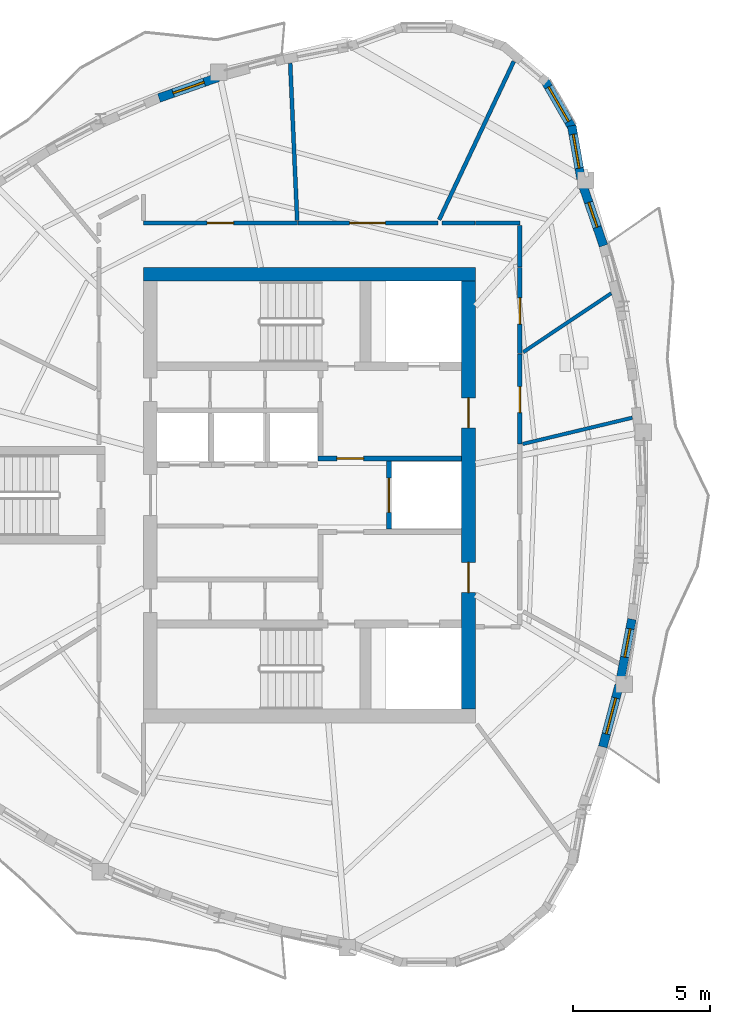
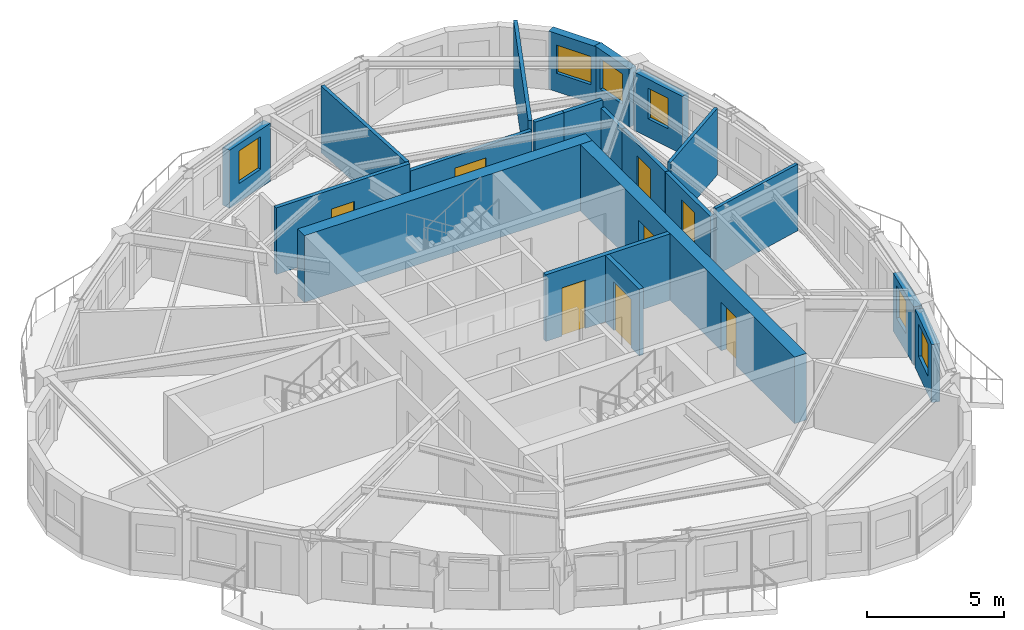
# One storey, part 6 of 11: 21 walls, 8 doors, 6 windows, 14 openings.
"""IFC4 building model written with IfcOpenShell, lengths in metres."""

from ifc_helpers import new_model, si_unit, direction, frame, frame_2d, origin, place, context, subcontext, project, spatial, rectangle, extrude, source, transform, mapped, material, layer, layer_set, type_object, element, fill, save


model = new_model("IFC4")

# Units and contexts
model_context = context("Model", 3, precision=1e-05, world=origin(), true_north=direction((0.0, 1.0)))
body_context = subcontext(model_context, "Body", "Model", "MODEL_VIEW")
ifc_project = project(units=[si_unit("LENGTHUNIT", "METRE"), si_unit("AREAUNIT", "SQUARE_METRE"), si_unit("VOLUMEUNIT", "CUBIC_METRE"), si_unit("PLANEANGLEUNIT", "RADIAN"), si_unit("MASSUNIT", "GRAM", prefix="KILO")], contexts=[model_context])

# Site, building, storey
site_placement = place(None, origin())
site = spatial("IfcSite", under=ifc_project, at=site_placement, CompositionType="ELEMENT")
building_placement = place(site_placement, origin())
building = spatial("IfcBuilding", under=site, at=building_placement, Name="Qafzar Sky-Pleat Residences", CompositionType="ELEMENT")
storey_placement = place(building_placement, frame((0.0, 0.0, 218.0)))
storey = spatial("IfcBuildingStorey", under=building, at=storey_placement, Name="L65", CompositionType="ELEMENT", Elevation=218.0)

# Wall, opening, door
ifc_material_1 = material(Name="Acoustic gypsum plasterboard partition", Category="gypsum")
ifc_layer_1 = layer(ifc_material_1, 0.159912109375)
ifc_layer_set_1 = layer_set([ifc_layer_1], Name="Acoustic gypsum plasterboard partition")
wall_type_1 = type_object("IfcWallType", Name="PART-COR-160", PredefinedType="PARTITIONING", material=ifc_layer_set_1)
wall_1_placement = place(storey_placement, frame((24.300048828125, 35.919921875, 0.0), z_axis=(0.0, 0.0, 1.0), x_axis=(1.0, 0.0, 0.0)))
wall_1 = element("IfcWall", 1, at=wall_1_placement, inside=storey, type_object=wall_type_1, Name="L65 Partition Wall PART-L65-PW-002", PredefinedType="PARTITIONING", context=body_context, shape_type="SweptSolid", body=[
    extrude(rectangle(XDim=5.623046875, YDim=0.159912109375, at=frame_2d((2.8115234375, 0.0))), origin(), (0.0, 0.0, 1.0), 2.9599609375),
])
opening_1_placement = place(wall_1_placement, frame((2.323974609375, 0.0, 0.0)))
opening_1 = element("IfcOpeningElement", 2, at=opening_1_placement, cuts=wall_1, Name="Opening ID-06", PredefinedType="OPENING", context=body_context, shape_type="SweptSolid", body=[
    extrude(rectangle(XDim=0.9599609375, YDim=2.10009765625, at=frame_2d((0.47998046875, 1.050048828125))), frame((0.0, 0.08984375, 0.0), z_axis=(0.0, -1.0, 0.0), x_axis=(1.0, 0.0, 0.0)), (0.0, 0.0, 1.0), 0.179931640625),
])
ifc_material_2 = material(Name="Timber-faced fire door", Category="wood")
door_type_1 = type_object("IfcDoorType", Name="DR-STD-960", OperationType="NOTDEFINED", PredefinedType="DOOR", material=ifc_material_2)
shared_shape_1 = source(origin(), body_context, "Body", "SweptSolid", [
    extrude(rectangle(XDim=0.9599609375, YDim=2.10009765625, at=frame_2d((0.47998046875, 1.050048828125))), frame((0.0, 0.02490234375, 0.0), z_axis=(0.0, -1.0, 0.0), x_axis=(1.0, 0.0, 0.0)), (0.0, 0.0, 1.0), 0.050048828125),
])
door_1_placement = place(opening_1_placement, origin())
door_1 = element("IfcDoor", 3, at=door_1_placement, inside=storey, type_object=door_type_1, Name="L65 Reading Library Door", OperationType="SINGLE_SWING_LEFT", OverallHeight=2.10009765625, OverallWidth=0.9599609375, PredefinedType="DOOR", context=body_context, shape_type="MappedRepresentation", body=[
    mapped(shared_shape_1, transform((0.0, 0.0, 0.0), x_axis=(1.0, 0.0, 0.0), y_axis=(0.0, 1.0, 0.0), z_axis=(0.0, 0.0, 1.0), scale=1.0)),
])
fill(opening_1, door_1)

wall_2_placement = place(storey_placement, frame((29.93798828125, 35.919921875, 0.0), z_axis=(0.0, 0.0, 1.0), x_axis=(1.0, 0.0, 0.0)))
wall_2 = element("IfcWall", 4, at=wall_2_placement, inside=storey, type_object=wall_type_1, Name="L65 Partition Wall PART-L65-PW-004", PredefinedType="PARTITIONING", context=body_context, shape_type="SweptSolid", body=[
    extrude(rectangle(XDim=5.10302734375, YDim=0.159912109375, at=frame_2d((2.551513671875, 0.0))), origin(), (0.0, 0.0, 1.0), 2.6279296875),
])
opening_2_placement = place(wall_2_placement, frame((1.8779296875, 0.0, 0.0)))
opening_2 = element("IfcOpeningElement", 5, at=opening_2_placement, cuts=wall_2, Name="Opening ID-05", PredefinedType="OPENING", context=body_context, shape_type="SweptSolid", body=[
    extrude(rectangle(XDim=1.300048828125, YDim=2.10009765625, at=frame_2d((0.64990234375, 1.050048828125))), frame((0.0, 0.08984375, 0.0), z_axis=(0.0, -1.0, 0.0), x_axis=(1.0, 0.0, 0.0)), (0.0, 0.0, 1.0), 0.179931640625),
])
door_type_2 = type_object("IfcDoorType", Name="DR-LNG-1300", OperationType="DOUBLE_DOOR_SINGLE_SWING", PredefinedType="DOOR", material=ifc_material_2)
shared_shape_2 = source(origin(), body_context, "Body", "SweptSolid", [
    extrude(rectangle(XDim=1.300048828125, YDim=2.10009765625, at=frame_2d((0.64990234375, 1.050048828125))), frame((0.0, 0.02490234375, 0.0), z_axis=(0.0, -1.0, 0.0), x_axis=(1.0, 0.0, 0.0)), (0.0, 0.0, 1.0), 0.050048828125),
])
door_2_placement = place(opening_2_placement, origin())
door_2 = element("IfcDoor", 6, at=door_2_placement, inside=storey, type_object=door_type_2, Name="L65 Graduate Lecture Room Door", OperationType="DOUBLE_DOOR_SINGLE_SWING", OverallHeight=2.10009765625, OverallWidth=1.300048828125, PredefinedType="DOOR", context=body_context, shape_type="MappedRepresentation", body=[
    mapped(shared_shape_2, transform((0.0, 0.0, 0.0), x_axis=(1.0, 0.0, 0.0), y_axis=(0.0, 1.0, 0.0), z_axis=(0.0, 0.0, 1.0), scale=1.0)),
])
fill(opening_2, door_2)

wall_3_placement = place(storey_placement, frame((38.02001953125, 31.14892578125, 0.0), z_axis=(0.0, 0.0, 1.0), x_axis=(0.0, -1.0, 0.0)))
wall_3 = element("IfcWall", 7, at=wall_3_placement, inside=storey, type_object=wall_type_1, Name="L65 Partition Wall PART-L65-PW-006", PredefinedType="PARTITIONING", context=body_context, shape_type="SweptSolid", body=[
    extrude(rectangle(XDim=3.27880859375, YDim=0.159912109375, at=frame_2d((1.639404296875, 0.0))), origin(), (0.0, 0.0, 1.0), 2.6279296875),
])
opening_3_placement = place(wall_3_placement, frame((1.1884765625, 0.0, 0.0)))
opening_3 = element("IfcOpeningElement", 8, at=opening_3_placement, cuts=wall_3, Name="Opening ID-08", PredefinedType="OPENING", context=body_context, shape_type="SweptSolid", body=[
    extrude(rectangle(XDim=0.949951171875, YDim=2.10009765625, at=frame_2d((0.47509765625, 1.050048828125))), frame((0.0, 0.08984375, 0.0), z_axis=(0.0, -1.0, 0.0), x_axis=(1.0, 0.0, 0.0)), (0.0, 0.0, 1.0), 0.179931640625),
])
door_type_3 = type_object("IfcDoorType", Name="DR-AWC-950", OperationType="NOTDEFINED", PredefinedType="DOOR", material=ifc_material_2)
shared_shape_3 = source(origin(), body_context, "Body", "SweptSolid", [
    extrude(rectangle(XDim=0.949951171875, YDim=2.10009765625, at=frame_2d((0.47509765625, 1.050048828125))), frame((0.0, 0.02490234375, 0.0), z_axis=(0.0, -1.0, 0.0), x_axis=(1.0, 0.0, 0.0)), (0.0, 0.0, 1.0), 0.050048828125),
])
door_3_placement = place(opening_3_placement, origin())
door_3 = element("IfcDoor", 9, at=door_3_placement, inside=storey, type_object=door_type_3, Name="L65 Accessible Shared Washroom Door", OperationType="SINGLE_SWING_LEFT", OverallHeight=2.10009765625, OverallWidth=0.949951171875, PredefinedType="DOOR", context=body_context, shape_type="MappedRepresentation", body=[
    mapped(shared_shape_3, transform((0.0, 0.0, 0.0), x_axis=(1.0, 0.0, 0.0), y_axis=(0.0, 1.0, 0.0), z_axis=(0.0, 0.0, 1.0), scale=1.0)),
])
fill(opening_3, door_3)

wall_4_placement = place(storey_placement, frame((38.02001953125, 31.1640625, 0.0), z_axis=(0.0, 0.0, 1.0), x_axis=(0.0, 1.0, 0.0)))
wall_4 = element("IfcWall", 10, at=wall_4_placement, inside=storey, type_object=wall_type_1, Name="L65 Partition Wall PART-L65-PW-007", PredefinedType="PARTITIONING", context=body_context, shape_type="SweptSolid", body=[
    extrude(rectangle(XDim=3.135986328125, YDim=0.159912109375, at=frame_2d((1.56787109375, 0.0))), origin(), (0.0, 0.0, 1.0), 2.6279296875),
])
opening_4_placement = place(wall_4_placement, frame((1.071533203125, 0.0, 0.0)))
opening_4 = element("IfcOpeningElement", 11, at=opening_4_placement, cuts=wall_4, Name="Opening ID-06", PredefinedType="OPENING", context=body_context, shape_type="SweptSolid", body=[
    extrude(rectangle(XDim=0.9599609375, YDim=2.10009765625, at=frame_2d((0.47998046875, 1.050048828125))), frame((0.0, 0.08984375, 0.0), z_axis=(0.0, -1.0, 0.0), x_axis=(1.0, 0.0, 0.0)), (0.0, 0.0, 1.0), 0.179931640625),
])
door_4_placement = place(opening_4_placement, origin())
door_4 = element("IfcDoor", 12, at=door_4_placement, inside=storey, type_object=door_type_1, Name="L65 Quiet Prayer Room Door", OperationType="SINGLE_SWING_RIGHT", OverallHeight=2.10009765625, OverallWidth=0.9599609375, PredefinedType="DOOR", context=body_context, shape_type="MappedRepresentation", body=[
    mapped(shared_shape_1, transform((0.0, 0.0, 0.0), x_axis=(1.0, 0.0, 0.0), y_axis=(0.0, 1.0, 0.0), z_axis=(0.0, 0.0, 1.0), scale=1.0)),
])
fill(opening_4, door_4)

# Walls
wall_5_placement = place(storey_placement, frame((36.39990234375, 35.919921875, 0.0), z_axis=(0.0, 0.0, 1.0), x_axis=(1.0, 0.0, 0.0)))
element("IfcWall", 13, at=wall_5_placement, inside=storey, type_object=wall_type_1, Name="L65 Partition Wall PART-L65-PW-022", PredefinedType="PARTITIONING", context=body_context, shape_type="SweptSolid", body=[
    extrude(rectangle(XDim=1.6201171875, YDim=0.159912109375, at=frame_2d((0.81005859375, 0.0))), origin(), (0.0, 0.0, 1.0), 2.9599609375),
])
wall_6_placement = place(storey_placement, frame((38.02001953125, 34.31494140625, 0.0), z_axis=(0.0, 0.0, 1.0), x_axis=(0.0, 1.0, 0.0)))
element("IfcWall", 14, at=wall_6_placement, inside=storey, type_object=wall_type_1, Name="L65 Partition Wall PART-L65-PW-023", PredefinedType="PARTITIONING", context=body_context, shape_type="SweptSolid", body=[
    extrude(rectangle(XDim=1.51708984375, YDim=0.159912109375, at=frame_2d((0.758544921875, 0.0))), origin(), (0.0, 0.0, 1.0), 2.6279296875),
])
wall_7_placement = place(storey_placement, frame((35.181884765625, 35.919921875, 0.0), z_axis=(0.0, 0.0, 1.0), x_axis=(1.0, 0.0, 0.0)))
element("IfcWall", 15, at=wall_7_placement, inside=storey, type_object=wall_type_1, Name="L65 Partition Wall PART-L65-PW-026", PredefinedType="PARTITIONING", context=body_context, shape_type="SweptSolid", body=[
    extrude(rectangle(XDim=1.203125, YDim=0.159912109375, at=frame_2d((0.6015625, 0.0))), origin(), (0.0, 0.0, 1.0), 2.9599609375),
])

# Wall, opening, door
ifc_material_3 = material(Name="Concrete blockwork partition", Category="masonry")
ifc_layer_2 = layer(ifc_material_3, 0.179931640625)
ifc_layer_set_2 = layer_set([ifc_layer_2], Name="Concrete blockwork partition")
wall_type_2 = type_object("IfcWallType", Name="PART-SHAFT-180", PredefinedType="PARTITIONING", material=ifc_layer_set_2)
wall_8_placement = place(storey_placement, frame((30.669921875, 27.340087890625, 0.0), z_axis=(0.0, 0.0, 1.0), x_axis=(1.0, 0.0, 0.0)))
wall_8 = element("IfcWall", 16, at=wall_8_placement, inside=storey, type_object=wall_type_2, Name="L65 Partition Wall PART-L65-FFL2-S", PredefinedType="PARTITIONING", context=body_context, shape_type="SweptSolid", body=[
    extrude(rectangle(XDim=5.219970703125, YDim=0.179931640625, at=frame_2d((2.60986328125, 0.0))), origin(), (0.0, 0.0, 1.0), 2.9599609375),
])
opening_5_placement = place(wall_8_placement, frame((0.679931640625, 0.0, 0.0)))
opening_5 = element("IfcOpeningElement", 17, at=opening_5_placement, cuts=wall_8, Name="Opening ID-01", PredefinedType="OPENING", context=body_context, shape_type="SweptSolid", body=[
    extrude(rectangle(XDim=0.97998046875, YDim=2.14990234375, at=frame_2d((0.489990234375, 1.074951171875))), frame((0.0, 0.10009765625, 0.0), z_axis=(0.0, -1.0, 0.0), x_axis=(1.0, 0.0, 0.0)), (0.0, 0.0, 1.0), 0.199951171875),
])
door_type_4 = type_object("IfcDoorType", Name="DR-STAIR-980", OperationType="NOTDEFINED", PredefinedType="DOOR", material=ifc_material_2)
shared_shape_4 = source(origin(), body_context, "Body", "SweptSolid", [
    extrude(rectangle(XDim=0.97998046875, YDim=2.14990234375, at=frame_2d((0.489990234375, 1.074951171875))), frame((0.0, 0.02490234375, 0.0), z_axis=(0.0, -1.0, 0.0), x_axis=(1.0, 0.0, 0.0)), (0.0, 0.0, 1.0), 0.050048828125),
])
door_5_placement = place(opening_5_placement, origin())
door_5 = element("IfcDoor", 18, at=door_5_placement, inside=storey, type_object=door_type_4, Name="L65 Lift Lobby to North Firefighting Lobby Door", OperationType="SINGLE_SWING_RIGHT", OverallHeight=2.14990234375, OverallWidth=0.97998046875, PredefinedType="DOOR", context=body_context, shape_type="MappedRepresentation", body=[
    mapped(shared_shape_4, transform((0.0, 0.0, 0.0), x_axis=(1.0, 0.0, 0.0), y_axis=(0.0, 1.0, 0.0), z_axis=(0.0, 0.0, 1.0), scale=1.0)),
])
fill(opening_5, door_5)

wall_9_placement = place(storey_placement, frame((33.25, 24.760009765625, 0.0), z_axis=(0.0, 0.0, 1.0), x_axis=(0.0, 1.0, 0.0)))
wall_9 = element("IfcWall", 19, at=wall_9_placement, inside=storey, type_object=wall_type_2, Name="L65 Partition Wall PART-L65-SV1-W", PredefinedType="PARTITIONING", context=body_context, shape_type="SweptSolid", body=[
    extrude(rectangle(XDim=2.47998046875, YDim=0.179931640625, at=frame_2d((1.239990234375, 0.0))), origin(), (0.0, 0.0, 1.0), 2.9599609375),
])
opening_6_placement = place(wall_9_placement, frame((0.614990234375, 0.0, 0.0)))
opening_6 = element("IfcOpeningElement", 20, at=opening_6_placement, cuts=wall_9, Name="Opening LD-03", PredefinedType="OPENING", context=body_context, shape_type="SweptSolid", body=[
    extrude(rectangle(XDim=1.25, YDim=2.14990234375, at=frame_2d((0.625, 1.074951171875))), frame((0.0, 0.10009765625, 0.0), z_axis=(0.0, -1.0, 0.0), x_axis=(1.0, 0.0, 0.0)), (0.0, 0.0, 1.0), 0.199951171875),
])
ifc_material_4 = material(Name="Stainless steel sliding landing door", Category="steel")
door_type_5 = type_object("IfcDoorType", Name="DR-LIFT-SV", OperationType="DOUBLE_DOOR_SLIDING", PredefinedType="DOOR", material=ifc_material_4)
shared_shape_5 = source(origin(), body_context, "Body", "SweptSolid", [
    extrude(rectangle(XDim=1.25, YDim=2.14990234375, at=frame_2d((0.625, 1.074951171875))), frame((0.0, 0.02490234375, 0.0), z_axis=(0.0, -1.0, 0.0), x_axis=(1.0, 0.0, 0.0)), (0.0, 0.0, 1.0), 0.050048828125),
])
door_6_placement = place(opening_6_placement, origin())
door_6 = element("IfcDoor", 21, at=door_6_placement, inside=storey, type_object=door_type_5, Name="L65 Service Lift SV1 Landing Door", OperationType="DOUBLE_DOOR_SLIDING", OverallHeight=2.14990234375, OverallWidth=1.25, PredefinedType="DOOR", context=body_context, shape_type="MappedRepresentation", body=[
    mapped(shared_shape_5, transform((0.0, 0.0, 0.0), x_axis=(1.0, 0.0, 0.0), y_axis=(0.0, 1.0, 0.0), z_axis=(0.0, 0.0, 1.0), scale=1.0)),
])
fill(opening_6, door_6)

# Walls
ifc_layer_3 = layer(ifc_material_1, 0.14501953125)
ifc_layer_set_3 = layer_set([ifc_layer_3], Name="Acoustic gypsum plasterboard partition")
wall_type_3 = type_object("IfcWallType", Name="PART-UNIT-145", PredefinedType="PARTITIONING", material=ifc_layer_set_3)
wall_10_placement = place(storey_placement, frame((35.07958984375, 36.0380859375, 0.0), z_axis=(0.0, 0.0, 1.0), x_axis=(0.426214985607, 0.904621902258, 0.0)))
element("IfcWall", 22, at=wall_10_placement, inside=storey, type_object=wall_type_3, Name="L65 Partition Wall PART-L65-PW-014", PredefinedType="PARTITIONING", context=body_context, shape_type="SweptSolid", body=[
    extrude(rectangle(XDim=6.385009765625, YDim=0.14501953125, at=frame_2d((3.1923828125, 0.0))), origin(), (0.0, 0.0, 1.0), 2.9599609375),
])
wall_11_placement = place(storey_placement, frame((29.6494140625, 41.74462890625, 0.0), z_axis=(0.0, 0.0, 1.0), x_axis=(0.044327022296, -0.999017074476, 0.0)))
element("IfcWall", 23, at=wall_11_placement, inside=storey, type_object=wall_type_3, Name="L65 Partition Wall PART-L65-PW-015", PredefinedType="PARTITIONING", context=body_context, shape_type="SweptSolid", body=[
    extrude(rectangle(XDim=5.739013671875, YDim=0.14501953125, at=frame_2d((2.86962890625, 0.0))), origin(), (0.0, 0.0, 1.0), 2.9599609375),
])
ifc_material_5 = material(Name="Moisture-resistant gypsum partition", Category="gypsum")
ifc_layer_4 = layer(ifc_material_5, 0.1298828125)
ifc_layer_set_4 = layer_set([ifc_layer_4], Name="Moisture-resistant gypsum partition")
wall_type_4 = type_object("IfcWallType", Name="PART-WET-130", PredefinedType="PARTITIONING", material=ifc_layer_set_4)
wall_12_placement = place(storey_placement, frame((38.122802734375, 27.86474609375, 0.0), z_axis=(0.0, 0.0, 1.0), x_axis=(0.972444961782, 0.233132572379, 0.0)))
element("IfcWall", 24, at=wall_12_placement, inside=storey, type_object=wall_type_4, Name="L65 Partition Wall PART-L65-PW-017", PredefinedType="PARTITIONING", context=body_context, shape_type="SweptSolid", body=[
    extrude(rectangle(XDim=4.1103515625, YDim=0.1298828125, at=frame_2d((2.05517578125, 0.0))), origin(), (0.0, 0.0, 1.0), 2.9599609375),
])
wall_13_placement = place(storey_placement, frame((38.142822265625, 31.213134765625, 0.0), z_axis=(0.0, 0.0, 1.0), x_axis=(0.831154063558, 0.556042195009, 0.0)))
element("IfcWall", 25, at=wall_13_placement, inside=storey, type_object=wall_type_4, Name="L65 Partition Wall PART-L65-PW-019", PredefinedType="PARTITIONING", context=body_context, shape_type="SweptSolid", body=[
    extrude(rectangle(XDim=3.8603515625, YDim=0.1298828125, at=frame_2d((1.93017578125, 0.0))), origin(), (0.0, 0.0, 1.0), 2.9599609375),
])

# Wall, opening, window
ifc_material_6 = material(Name="Precast concrete C40/50 with honed Riyadh limestone", Category="concrete")
ifc_layer_5 = layer(ifc_material_6, 0.320068359375)
ifc_layer_set_5 = layer_set([ifc_layer_5], Name="Precast concrete C40/50 with honed Riyadh limestone")
wall_type_5 = type_object("IfcWallType", Name="WALL-EXT-320", PredefinedType="SOLIDWALL", material=ifc_layer_set_5)
wall_14_placement = place(storey_placement, frame((41.04541015625, 16.824462890625, 0.0), z_axis=(0.0, 0.0, 1.0), x_axis=(0.257099982868, 0.966384808867, 0.0)))
wall_14 = element("IfcWall", 26, at=wall_14_placement, inside=storey, type_object=wall_type_5, Name="L65 Limestone Facade Wall 24", PredefinedType="SOLIDWALL", context=body_context, shape_type="SweptSolid", body=[
    extrude(rectangle(XDim=2.32275390625, YDim=0.320068359375, at=frame_2d((1.161376953125, 0.0))), origin(), (0.0, 0.0, 1.0), 2.580078125),
])
opening_7_placement = place(wall_14_placement, frame((0.491455078125, 0.0, 0.820068359375)))
opening_7 = element("IfcOpeningElement", 27, at=opening_7_placement, cuts=wall_14, Name="Opening WN-04", PredefinedType="OPENING", context=body_context, shape_type="SweptSolid", body=[
    extrude(rectangle(XDim=1.35009765625, YDim=1.449951171875, at=frame_2d((0.675048828125, 0.72509765625))), frame((0.0, 0.169921875, 0.0), z_axis=(0.0, -1.0, 0.0), x_axis=(1.0, 0.0, 0.0)), (0.0, 0.0, 1.0), 0.340087890625),
])
ifc_material_7 = material(Name="Solar-control low-E glass in bronze aluminium frame", Category="glass")
window_type_1 = type_object("IfcWindowType", Name="WIN-04", PartitioningType="SINGLE_PANEL", PredefinedType="WINDOW", material=ifc_material_7)
shared_shape_6 = source(origin(), body_context, "Body", "SweptSolid", [
    extrude(rectangle(XDim=1.35009765625, YDim=1.449951171875, at=frame_2d((0.675048828125, 0.72509765625))), frame((0.0, 0.030029296875, 0.0), z_axis=(0.0, -1.0, 0.0), x_axis=(1.0, 0.0, 0.0)), (0.0, 0.0, 1.0), 0.06005859375),
])
window_1_placement = place(opening_7_placement, origin())
window_1 = element("IfcWindow", 28, at=window_1_placement, inside=storey, type_object=window_type_1, Name="L65 Punched Facade Window 24", OverallHeight=1.449951171875, OverallWidth=1.35009765625, PartitioningType="SINGLE_PANEL", PredefinedType="WINDOW", context=body_context, shape_type="MappedRepresentation", body=[
    mapped(shared_shape_6, transform((0.0, 0.0, 0.0), x_axis=(1.0, 0.0, 0.0), y_axis=(0.0, 1.0, 0.0), z_axis=(0.0, 0.0, 1.0), scale=1.0)),
])
fill(opening_7, window_1)

wall_15_placement = place(storey_placement, frame((41.679931640625, 19.2333984375, 0.0), z_axis=(0.0, 0.0, 1.0), x_axis=(0.186630727552, 0.982430135701, 0.0)))
wall_15 = element("IfcWall", 29, at=wall_15_placement, inside=storey, type_object=wall_type_5, Name="L65 Limestone Facade Wall 25", PredefinedType="SOLIDWALL", context=body_context, shape_type="SweptSolid", body=[
    extrude(rectangle(XDim=2.283935546875, YDim=0.320068359375, at=frame_2d((1.14208984375, 0.0))), origin(), (0.0, 0.0, 1.0), 2.580078125),
])
opening_8_placement = place(wall_15_placement, frame((0.877685546875, 0.0, 0.820068359375)))
opening_8 = element("IfcOpeningElement", 30, at=opening_8_placement, cuts=wall_15, Name="Opening WN-06", PredefinedType="OPENING", context=body_context, shape_type="SweptSolid", body=[
    extrude(rectangle(XDim=1.050048828125, YDim=1.449951171875, at=frame_2d((0.52490234375, 0.72509765625))), frame((0.0, 0.169921875, 0.0), z_axis=(0.0, -1.0, 0.0), x_axis=(1.0, 0.0, 0.0)), (0.0, 0.0, 1.0), 0.340087890625),
])
window_type_2 = type_object("IfcWindowType", Name="WIN-06", PartitioningType="SINGLE_PANEL", PredefinedType="WINDOW", material=ifc_material_7)
shared_shape_7 = source(origin(), body_context, "Body", "SweptSolid", [
    extrude(rectangle(XDim=1.050048828125, YDim=1.449951171875, at=frame_2d((0.52490234375, 0.72509765625))), frame((0.0, 0.030029296875, 0.0), z_axis=(0.0, -1.0, 0.0), x_axis=(1.0, 0.0, 0.0)), (0.0, 0.0, 1.0), 0.06005859375),
])
window_2_placement = place(opening_8_placement, origin())
window_2 = element("IfcWindow", 31, at=window_2_placement, inside=storey, type_object=window_type_2, Name="L65 Punched Facade Window 25-2", OverallHeight=1.449951171875, OverallWidth=1.050048828125, PartitioningType="SINGLE_PANEL", PredefinedType="WINDOW", context=body_context, shape_type="MappedRepresentation", body=[
    mapped(shared_shape_7, transform((0.0, 0.0, 0.0), x_axis=(1.0, 0.0, 0.0), y_axis=(0.0, 1.0, 0.0), z_axis=(0.0, 0.0, 1.0), scale=1.0)),
])
fill(opening_8, window_2)

wall_16_placement = place(storey_placement, frame((41.07080078125, 35.09228515625, 0.0), z_axis=(0.0, 0.0, 1.0), x_axis=(-0.323624668926, 0.946185538709, 0.0)))
wall_16 = element("IfcWall", 32, at=wall_16_placement, inside=storey, type_object=wall_type_5, Name="L65 Limestone Facade Wall 32", PredefinedType="SOLIDWALL", context=body_context, shape_type="SweptSolid", body=[
    extrude(rectangle(XDim=2.373291015625, YDim=0.320068359375, at=frame_2d((1.1865234375, 0.0))), origin(), (0.0, 0.0, 1.0), 2.580078125),
])
opening_9_placement = place(wall_16_placement, frame((0.716796875, 0.0, 0.820068359375)))
opening_9 = element("IfcOpeningElement", 33, at=opening_9_placement, cuts=wall_16, Name="Opening WN-12", PredefinedType="OPENING", context=body_context, shape_type="SweptSolid", body=[
    extrude(rectangle(XDim=0.949951171875, YDim=1.35009765625, at=frame_2d((0.47509765625, 0.675048828125))), frame((0.0, 0.169921875, 0.0), z_axis=(0.0, -1.0, 0.0), x_axis=(1.0, 0.0, 0.0)), (0.0, 0.0, 1.0), 0.340087890625),
])
window_type_3 = type_object("IfcWindowType", Name="WIN-12", PartitioningType="SINGLE_PANEL", PredefinedType="WINDOW", material=ifc_material_7)
shared_shape_8 = source(origin(), body_context, "Body", "SweptSolid", [
    extrude(rectangle(XDim=0.949951171875, YDim=1.35009765625, at=frame_2d((0.47509765625, 0.675048828125))), frame((0.0, 0.030029296875, 0.0), z_axis=(0.0, -1.0, 0.0), x_axis=(1.0, 0.0, 0.0)), (0.0, 0.0, 1.0), 0.06005859375),
])
window_3_placement = place(opening_9_placement, origin())
window_3 = element("IfcWindow", 34, at=window_3_placement, inside=storey, type_object=window_type_3, Name="L65 Punched Facade Window 32", OverallHeight=1.35009765625, OverallWidth=0.949951171875, PartitioningType="SINGLE_PANEL", PredefinedType="WINDOW", context=body_context, shape_type="MappedRepresentation", body=[
    mapped(shared_shape_8, transform((0.0, 0.0, 0.0), x_axis=(1.0, 0.0, 0.0), y_axis=(0.0, 1.0, 0.0), z_axis=(0.0, 0.0, 1.0), scale=1.0)),
])
fill(opening_9, window_3)

wall_17_placement = place(storey_placement, frame((40.251708984375, 37.53564453125, 0.0), z_axis=(0.0, 0.0, 1.0), x_axis=(-0.173671780312, 0.984803590937, 0.0)))
wall_17 = element("IfcWall", 35, at=wall_17_placement, inside=storey, type_object=wall_type_5, Name="L65 Limestone Facade Wall 33", PredefinedType="SOLIDWALL", context=body_context, shape_type="SweptSolid", body=[
    extrude(rectangle(XDim=1.96240234375, YDim=0.320068359375, at=frame_2d((0.981201171875, 0.0))), origin(), (0.0, 0.0, 1.0), 2.580078125),
])
opening_10_placement = place(wall_17_placement, frame((0.39111328125, 0.0, 0.820068359375)))
opening_10 = element("IfcOpeningElement", 36, at=opening_10_placement, cuts=wall_17, Name="Opening WN-11", PredefinedType="OPENING", context=body_context, shape_type="SweptSolid", body=[
    extrude(rectangle(XDim=1.25, YDim=1.35009765625, at=frame_2d((0.625, 0.675048828125))), frame((0.0, 0.169921875, 0.0), z_axis=(0.0, -1.0, 0.0), x_axis=(1.0, 0.0, 0.0)), (0.0, 0.0, 1.0), 0.340087890625),
])
window_type_4 = type_object("IfcWindowType", Name="WIN-11", PartitioningType="SINGLE_PANEL", PredefinedType="WINDOW", material=ifc_material_7)
shared_shape_9 = source(origin(), body_context, "Body", "SweptSolid", [
    extrude(rectangle(XDim=1.25, YDim=1.35009765625, at=frame_2d((0.625, 0.675048828125))), frame((0.0, 0.030029296875, 0.0), z_axis=(0.0, -1.0, 0.0), x_axis=(1.0, 0.0, 0.0)), (0.0, 0.0, 1.0), 0.06005859375),
])
window_4_placement = place(opening_10_placement, origin())
window_4 = element("IfcWindow", 37, at=window_4_placement, inside=storey, type_object=window_type_4, Name="L65 Punched Facade Window 33", OverallHeight=1.35009765625, OverallWidth=1.25, PartitioningType="SINGLE_PANEL", PredefinedType="WINDOW", context=body_context, shape_type="MappedRepresentation", body=[
    mapped(shared_shape_9, transform((0.0, 0.0, 0.0), x_axis=(1.0, 0.0, 0.0), y_axis=(0.0, 1.0, 0.0), z_axis=(0.0, 0.0, 1.0), scale=1.0)),
])
fill(opening_10, window_4)

wall_18_placement = place(storey_placement, frame((39.95556640625, 39.345703125, 0.0), z_axis=(0.0, 0.0, 1.0), x_axis=(-0.499995423472, 0.866028046028, 0.0)))
wall_18 = element("IfcWall", 38, at=wall_18_placement, inside=storey, type_object=wall_type_5, Name="L65 Limestone Facade Wall 34", PredefinedType="SOLIDWALL", context=body_context, shape_type="SweptSolid", body=[
    extrude(rectangle(XDim=2.09033203125, YDim=0.320068359375, at=frame_2d((1.045166015625, 0.0))), origin(), (0.0, 0.0, 1.0), 2.580078125),
])
opening_11_placement = place(wall_18_placement, frame((0.320068359375, 0.0, 0.820068359375)))
opening_11 = element("IfcOpeningElement", 39, at=opening_11_placement, cuts=wall_18, Name="Opening WN-15", PredefinedType="OPENING", context=body_context, shape_type="SweptSolid", body=[
    extrude(rectangle(XDim=1.449951171875, YDim=1.25, at=frame_2d((0.72509765625, 0.625))), frame((0.0, 0.169921875, 0.0), z_axis=(0.0, -1.0, 0.0), x_axis=(1.0, 0.0, 0.0)), (0.0, 0.0, 1.0), 0.340087890625),
])
window_type_5 = type_object("IfcWindowType", Name="WIN-15", PartitioningType="SINGLE_PANEL", PredefinedType="WINDOW", material=ifc_material_7)
shared_shape_10 = source(origin(), body_context, "Body", "SweptSolid", [
    extrude(rectangle(XDim=1.449951171875, YDim=1.25, at=frame_2d((0.72509765625, 0.625))), frame((0.0, 0.030029296875, 0.0), z_axis=(0.0, -1.0, 0.0), x_axis=(1.0, 0.0, 0.0)), (0.0, 0.0, 1.0), 0.06005859375),
])
window_5_placement = place(opening_11_placement, origin())
window_5 = element("IfcWindow", 40, at=window_5_placement, inside=storey, type_object=window_type_5, Name="L65 Punched Facade Window 34", OverallHeight=1.25, OverallWidth=1.449951171875, PartitioningType="SINGLE_PANEL", PredefinedType="WINDOW", context=body_context, shape_type="MappedRepresentation", body=[
    mapped(shared_shape_10, transform((0.0, 0.0, 0.0), x_axis=(1.0, 0.0, 0.0), y_axis=(0.0, 1.0, 0.0), z_axis=(0.0, 0.0, 1.0), scale=1.0)),
])
fill(opening_11, window_5)

wall_19_placement = place(storey_placement, frame((27.02001953125, 41.23046875, 0.0), z_axis=(0.0, 0.0, 1.0), x_axis=(-0.944142960918, -0.329536142705, 0.0)))
wall_19 = element("IfcWall", 41, at=wall_19_placement, inside=storey, type_object=wall_type_5, Name="L65 Limestone Facade Wall 41", PredefinedType="SOLIDWALL", context=body_context, shape_type="SweptSolid", body=[
    extrude(rectangle(XDim=2.2841796875, YDim=0.320068359375, at=frame_2d((1.14208984375, 0.0))), origin(), (0.0, 0.0, 1.0), 2.580078125),
])
opening_12_placement = place(wall_19_placement, frame((0.537109375, 0.0, 0.820068359375)))
opening_12 = element("IfcOpeningElement", 42, at=opening_12_placement, cuts=wall_19, Name="Opening WN-05", PredefinedType="OPENING", context=body_context, shape_type="SweptSolid", body=[
    extrude(rectangle(XDim=1.199951171875, YDim=1.449951171875, at=frame_2d((0.60009765625, 0.72509765625))), frame((0.0, 0.169921875, 0.0), z_axis=(0.0, -1.0, 0.0), x_axis=(1.0, 0.0, 0.0)), (0.0, 0.0, 1.0), 0.340087890625),
])
window_type_6 = type_object("IfcWindowType", Name="WIN-05", PartitioningType="SINGLE_PANEL", PredefinedType="WINDOW", material=ifc_material_7)
shared_shape_11 = source(origin(), body_context, "Body", "SweptSolid", [
    extrude(rectangle(XDim=1.199951171875, YDim=1.449951171875, at=frame_2d((0.60009765625, 0.72509765625))), frame((0.0, 0.030029296875, 0.0), z_axis=(0.0, -1.0, 0.0), x_axis=(1.0, 0.0, 0.0)), (0.0, 0.0, 1.0), 0.06005859375),
])
window_6_placement = place(opening_12_placement, origin())
window_6 = element("IfcWindow", 43, at=window_6_placement, inside=storey, type_object=window_type_6, Name="L65 Punched Facade Window 41", OverallHeight=1.449951171875, OverallWidth=1.199951171875, PartitioningType="SINGLE_PANEL", PredefinedType="WINDOW", context=body_context, shape_type="MappedRepresentation", body=[
    mapped(shared_shape_11, transform((0.0, 0.0, 0.0), x_axis=(1.0, 0.0, 0.0), y_axis=(0.0, 1.0, 0.0), z_axis=(0.0, 0.0, 1.0), scale=1.0)),
])
fill(opening_12, window_6)

# Wall
ifc_material_8 = material(Name="Concrete C60/75", Category="concrete")
ifc_layer_6 = layer(ifc_material_8, 0.5)
ifc_layer_set_6 = layer_set([ifc_layer_6], Name="Concrete C60/75")
wall_type_6 = type_object("IfcWallType", Name="WALL-SHEAR-500", PredefinedType="SHEAR", material=ifc_layer_set_6)
wall_20_placement = place(storey_placement, frame((36.39990234375, 34.050048828125, 0.0), z_axis=(0.0, 0.0, 1.0), x_axis=(-1.0, 0.0, 0.0)))
element("IfcWall", 44, at=wall_20_placement, inside=storey, type_object=wall_type_6, Name="L65 CORE wall N", PredefinedType="SHEAR", context=body_context, shape_type="SweptSolid", body=[
    extrude(rectangle(XDim=12.099853515625, YDim=0.5, at=frame_2d((6.0498046875, 0.0))), origin(), (0.0, 0.0, 1.0), 2.9599609375),
])

# Wall, openings, doors
wall_21_placement = place(storey_placement, frame((36.14990234375, 18.199951171875, 0.0), z_axis=(0.0, 0.0, 1.0), x_axis=(0.0, 1.0, 0.0)))
wall_21 = element("IfcWall", 45, at=wall_21_placement, inside=storey, type_object=wall_type_6, Name="L65 CORE wall E", PredefinedType="SHEAR", context=body_context, shape_type="SweptSolid", body=[
    extrude(rectangle(XDim=15.60009765625, YDim=0.5, at=frame_2d((7.800048828125, 0.0))), origin(), (0.0, 0.0, 1.0), 2.9599609375),
])
opening_13_placement = place(wall_21_placement, frame((4.25, 0.0, 0.0)))
opening_13 = element("IfcOpeningElement", 46, at=opening_13_placement, cuts=wall_21, Name="Opening ID-02", PredefinedType="OPENING", context=body_context, shape_type="SweptSolid", body=[
    extrude(rectangle(XDim=1.10009765625, YDim=2.14990234375, at=frame_2d((0.550048828125, 1.074951171875))), frame((0.0, 0.260009765625, 0.0), z_axis=(0.0, -1.0, 0.0), x_axis=(1.0, 0.0, 0.0)), (0.0, 0.0, 1.0), 0.52001953125),
])
opening_14_placement = place(wall_21_placement, frame((10.25, 0.0, 0.0)))
opening_14 = element("IfcOpeningElement", 47, at=opening_14_placement, cuts=wall_21, Name="Opening ID-02", PredefinedType="OPENING", context=body_context, shape_type="SweptSolid", body=[
    extrude(rectangle(XDim=1.10009765625, YDim=2.14990234375, at=frame_2d((0.550048828125, 1.074951171875))), frame((0.0, 0.260009765625, 0.0), z_axis=(0.0, -1.0, 0.0), x_axis=(1.0, 0.0, 0.0)), (0.0, 0.0, 1.0), 0.52001953125),
])
door_type_6 = type_object("IfcDoorType", Name="DR-FFL-1100", OperationType="NOTDEFINED", PredefinedType="DOOR", material=ifc_material_2)
shared_shape_12 = source(origin(), body_context, "Body", "SweptSolid", [
    extrude(rectangle(XDim=1.10009765625, YDim=2.14990234375, at=frame_2d((0.550048828125, 1.074951171875))), frame((0.0, 0.02490234375, 0.0), z_axis=(0.0, -1.0, 0.0), x_axis=(1.0, 0.0, 0.0)), (0.0, 0.0, 1.0), 0.050048828125),
])
door_7_placement = place(opening_13_placement, origin())
door_7 = element("IfcDoor", 48, at=door_7_placement, inside=storey, type_object=door_type_6, Name="L65 Firefighting Lobby South Corridor Door", OperationType="SINGLE_SWING_LEFT", OverallHeight=2.14990234375, OverallWidth=1.10009765625, PredefinedType="DOOR", context=body_context, shape_type="MappedRepresentation", body=[
    mapped(shared_shape_12, transform((0.0, 0.0, 0.0), x_axis=(1.0, 0.0, 0.0), y_axis=(0.0, 1.0, 0.0), z_axis=(0.0, 0.0, 1.0), scale=1.0)),
])
fill(opening_13, door_7)
door_8_placement = place(opening_14_placement, origin())
door_8 = element("IfcDoor", 49, at=door_8_placement, inside=storey, type_object=door_type_6, Name="L65 Firefighting Lobby North Corridor Door", OperationType="SINGLE_SWING_RIGHT", OverallHeight=2.14990234375, OverallWidth=1.10009765625, PredefinedType="DOOR", context=body_context, shape_type="MappedRepresentation", body=[
    mapped(shared_shape_12, transform((0.0, 0.0, 0.0), x_axis=(1.0, 0.0, 0.0), y_axis=(0.0, 1.0, 0.0), z_axis=(0.0, 0.0, 1.0), scale=1.0)),
])
fill(opening_14, door_8)

save(model, "model.ifc")
